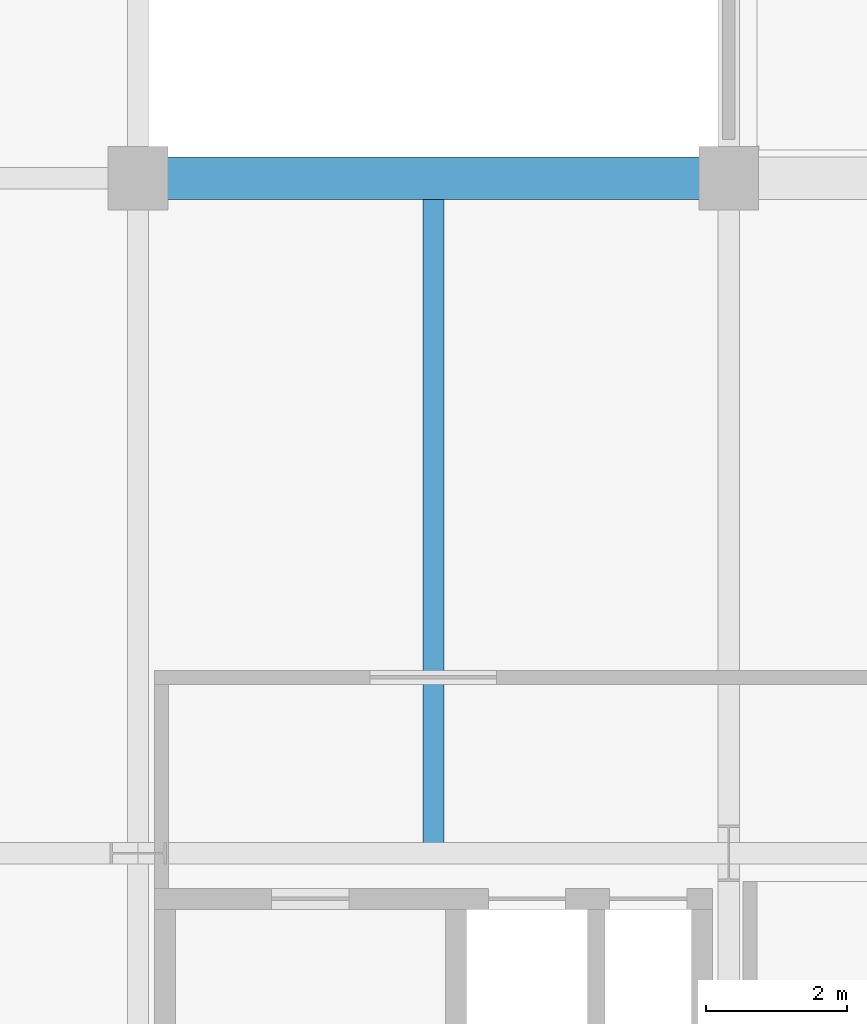
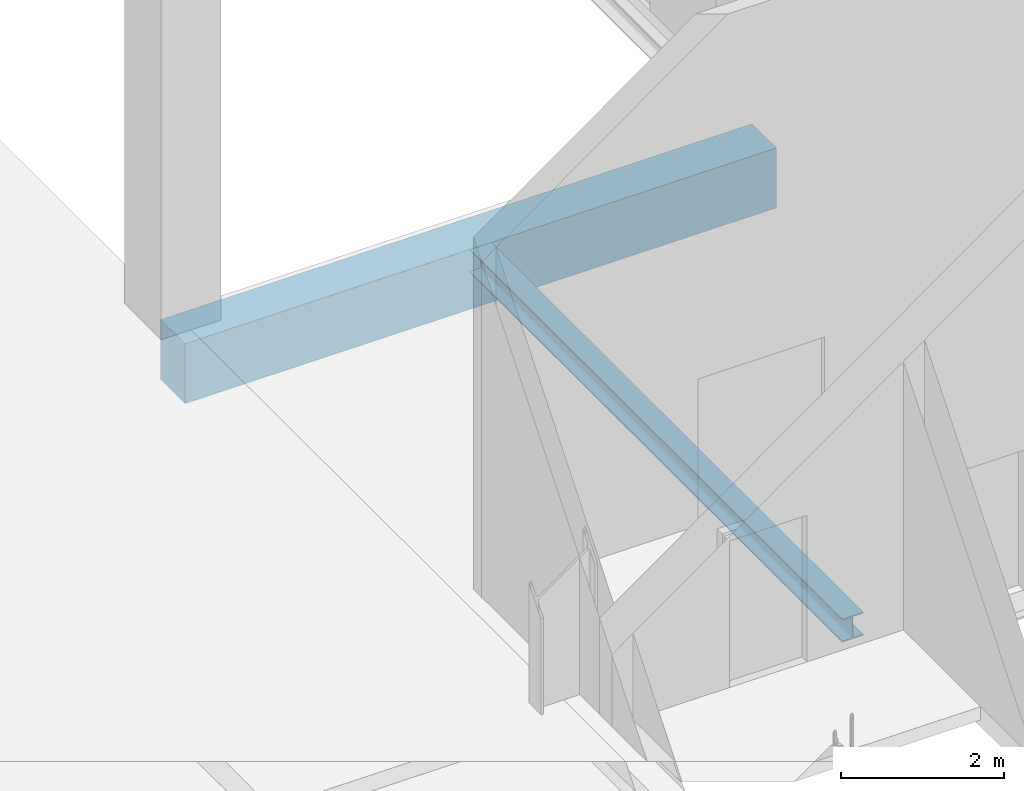
# One storey, part 20 of 131: 2 beams.
"""IFC4 building model written with IfcOpenShell, lengths in metres."""

from ifc_helpers import new_model, si_unit, direction, frame, origin, origin_2d, place, context, subcontext, project, spatial, rectangle, i_section, extrude, material, material_profile, profile_set, type_object, element, save


model = new_model("IFC4")

# Units and contexts
model_context = context("Model", 3, precision=1e-05, world=origin(), true_north=direction((0.0, 1.0)))
body_context = subcontext(model_context, "Body", "Model", "MODEL_VIEW")
ifc_project = project(units=[si_unit("LENGTHUNIT", "METRE"), si_unit("AREAUNIT", "SQUARE_METRE"), si_unit("VOLUMEUNIT", "CUBIC_METRE"), si_unit("PLANEANGLEUNIT", "RADIAN"), si_unit("MASSUNIT", "GRAM", prefix="KILO")], contexts=[model_context])

# Site, building, storey
site_placement = place(None, origin())
site = spatial("IfcSite", under=ifc_project, at=site_placement, CompositionType="ELEMENT")
building_placement = place(site_placement, origin())
building = spatial("IfcBuilding", under=site, at=building_placement, Name="Veltarok Museum of Natural Sciences", CompositionType="ELEMENT")
storey_placement = place(building_placement, origin())
storey = spatial("IfcBuildingStorey", under=building, at=storey_placement, Name="L00", CompositionType="ELEMENT", Elevation=0.0)

# Beams
ifc_material_1 = material(Name="Concrete C40/50", Category="concrete")
ifc_material_profile_1 = material_profile(ifc_material_1, rectangle(XDim=0.60009765625, YDim=0.89990234375, at=origin_2d()), Name="RC 600x900")
ifc_profile_set_1 = profile_set([ifc_material_profile_1], Name="Concrete C40/50")
beam_type_1 = type_object("IfcBeamType", Name="Exposed Cabinet Perimeter Spandrel RC 600x900", PredefinedType="SPANDREL", material=ifc_profile_set_1)
beam_1_placement = place(storey_placement, frame((31.60009765625, 19.199951171875, -0.75), z_axis=(1.0, 0.0, 0.0), x_axis=(0.0, 1.0, 0.0)))
element("IfcBeam", 1, at=beam_1_placement, inside=storey, type_object=beam_type_1, Name="Beam BM-SP01 L00 4-5/C", PredefinedType="SPANDREL", context=body_context, shape_type="SweptSolid", body=[
    extrude(rectangle(XDim=0.60009765625, YDim=0.89990234375, at=origin_2d()), origin(), (0.0, 0.0, 1.0), 8.39990234375),
])
ifc_material_2 = material(Name="Steel S355J2", Category="steel")
ifc_material_profile_2 = material_profile(ifc_material_2, i_section(OverallWidth=0.300048828125, OverallDepth=0.35009765625, WebThickness=0.010009765625, FlangeThickness=0.017578125, FilletRadius=0.027099609375, at=origin_2d()), Name="HEA 360")
ifc_profile_set_2 = profile_set([ifc_material_profile_2], Name="Steel S355J2")
beam_type_2 = type_object("IfcBeamType", Name="Long-Span Gallery Joist HEA 360", PredefinedType="JOIST", material=ifc_profile_set_2)
beam_2_placement = place(storey_placement, frame((35.800048828125, 9.748046875, -0.47509765625), z_axis=(0.0, 1.0, 0.0), x_axis=(-1.0, 0.0, 0.0)))
element("IfcBeam", 2, at=beam_2_placement, inside=storey, type_object=beam_type_2, Name="Secondary Joist BM-J07 L00 4-5/B-C.1", PredefinedType="JOIST", context=body_context, shape_type="SweptSolid", body=[
    extrude(i_section(OverallWidth=0.300048828125, OverallDepth=0.35009765625, WebThickness=0.010009765625, FlangeThickness=0.017578125, FilletRadius=0.027099609375, at=origin_2d()), origin(), (0.0, 0.0, 1.0), 9.154052734375),
])

save(model, "model.ifc")
